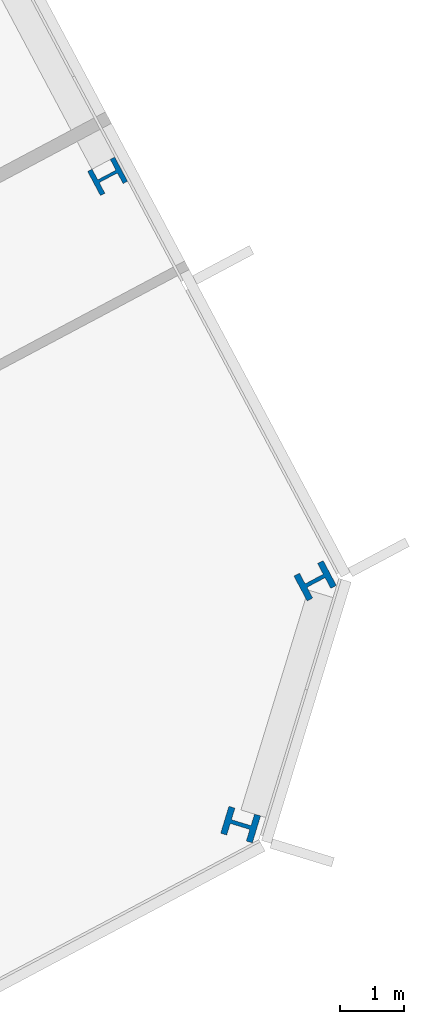
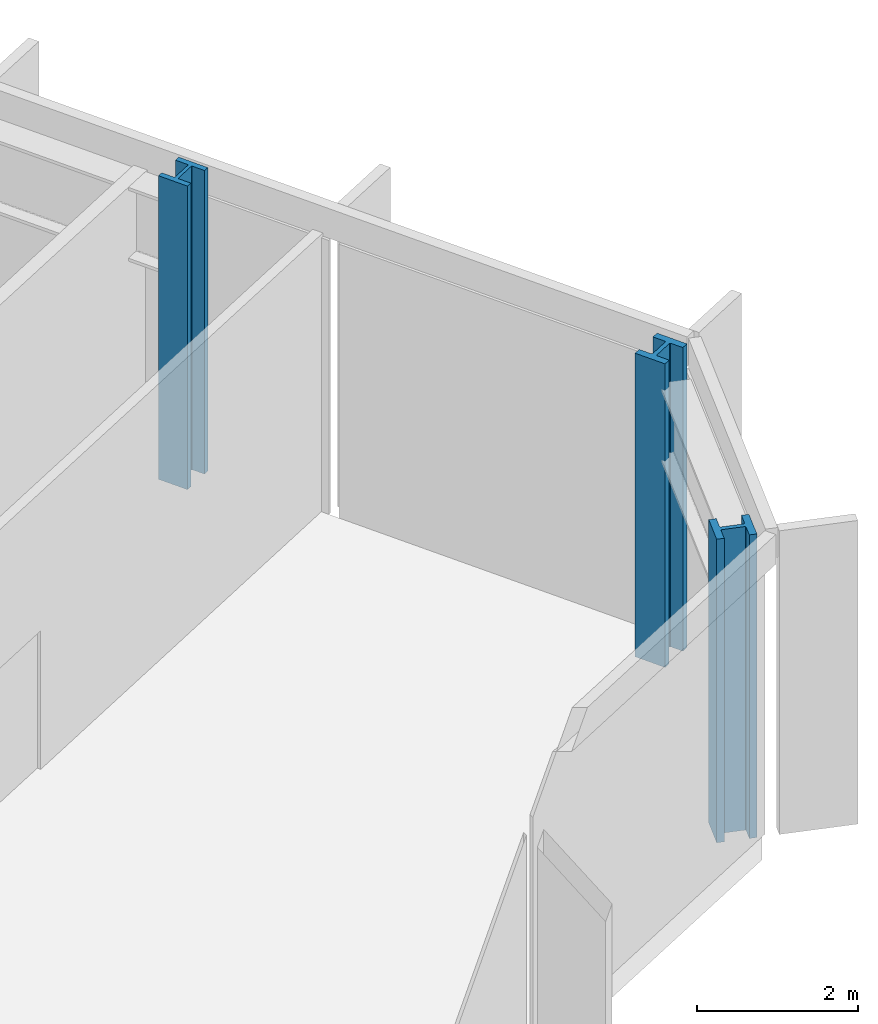
# One storey, part 6 of 31: 3 columns.
"""IFC4 building model written with IfcOpenShell, lengths in metres."""

from ifc_helpers import new_model, si_unit, direction, frame, origin, origin_2d, place, context, subcontext, project, spatial, i_section, extrude, material, material_profile, profile_set, type_object, element, save


model = new_model("IFC4")

# Units and contexts
model_context = context("Model", 3, precision=1e-05, world=origin(), true_north=direction((0.0, 1.0)))
body_context = subcontext(model_context, "Body", "Model", "MODEL_VIEW")
ifc_project = project(units=[si_unit("LENGTHUNIT", "METRE"), si_unit("AREAUNIT", "SQUARE_METRE"), si_unit("VOLUMEUNIT", "CUBIC_METRE"), si_unit("PLANEANGLEUNIT", "RADIAN"), si_unit("MASSUNIT", "GRAM", prefix="KILO")], contexts=[model_context])

# Site, building, storey
site_placement = place(None, origin())
site = spatial("IfcSite", under=ifc_project, at=site_placement, CompositionType="ELEMENT")
building_placement = place(site_placement, origin())
building = spatial("IfcBuilding", under=site, at=building_placement, Name="Cormorant Relay Tower", CompositionType="ELEMENT")
storey_placement = place(building_placement, frame((0.0, 0.0, 103.0)))
storey = spatial("IfcBuildingStorey", under=building, at=storey_placement, Name="L20", CompositionType="ELEMENT", Elevation=103.0)

# Columns
ifc_material_1 = material(Name="Steel ASTM A992 (Fy 345 MPa)", Category="steel")
ifc_material_profile_1 = material_profile(ifc_material_1, i_section(OverallWidth=0.42431640625, OverallDepth=0.47509765625, WebThickness=0.0478515625, FlangeThickness=0.0771484375, FilletRadius=0.014892578125, at=origin_2d()), Name="W360x634")
ifc_profile_set_1 = profile_set([ifc_material_profile_1], Name="Steel ASTM A992 (Fy 345 MPa)")
column_type_1 = type_object("IfcColumnType", Name="Column W360x634", PredefinedType="COLUMN", material=ifc_profile_set_1)
column_placement = place(storey_placement, frame((68.430908203125, 24.153076171875, 0.0), z_axis=(0.0, 0.0, 1.0), x_axis=(-0.469471562786, 0.882947592859, 0.0)))
element("IfcColumn", 1, at=column_placement, inside=storey, type_object=column_type_1, Name="Column L20-033", PredefinedType="COLUMN", context=body_context, shape_type="SweptSolid", body=[
    extrude(i_section(OverallWidth=0.42431640625, OverallDepth=0.47509765625, WebThickness=0.0478515625, FlangeThickness=0.0771484375, FilletRadius=0.014892578125, at=origin_2d()), origin(), (0.0, 0.0, 1.0), 4.60009765625),
])
ifc_material_2 = material(Name="Steel ASTM A992 (Fy 345 MPa)", Category="steel")
ifc_material_profile_2 = material_profile(ifc_material_2, i_section(OverallWidth=0.43701171875, OverallDepth=0.51318359375, WebThickness=0.060546875, FlangeThickness=0.096923828125, FilletRadius=0.015380859375, at=origin_2d()), Name="W360x818")
ifc_profile_set_2 = profile_set([ifc_material_profile_2], Name="Steel ASTM A992 (Fy 345 MPa)")
column_type_2 = type_object("IfcColumnType", Name="Column W360x818", PredefinedType="COLUMN", material=ifc_profile_set_2)
for number, where, z_axis, x_axis, name in (
    (2, (70.4970703125, 14.0869140625, 0.0), (0.0, 0.0, 1.0), (0.292371704723, 0.956304755963, 0.0), "Column L20-026"),
    (3, (71.654052734375, 17.873046875, 0.0), (0.0, 0.0, 1.0), (-0.469471562786, 0.882947592859, 0.0), "Column L20-028"),
):
    element("IfcColumn", number, at=place(storey_placement, frame(where, z_axis=z_axis, x_axis=x_axis)), inside=storey, type_object=column_type_2, Name=name, PredefinedType="COLUMN", context=body_context, shape_type="SweptSolid", body=[
        extrude(i_section(OverallWidth=0.43701171875, OverallDepth=0.51318359375, WebThickness=0.060546875, FlangeThickness=0.096923828125, FilletRadius=0.015380859375, at=origin_2d()), origin(), (0.0, 0.0, 1.0), 4.60009765625),
    ])

save(model, "model.ifc")
